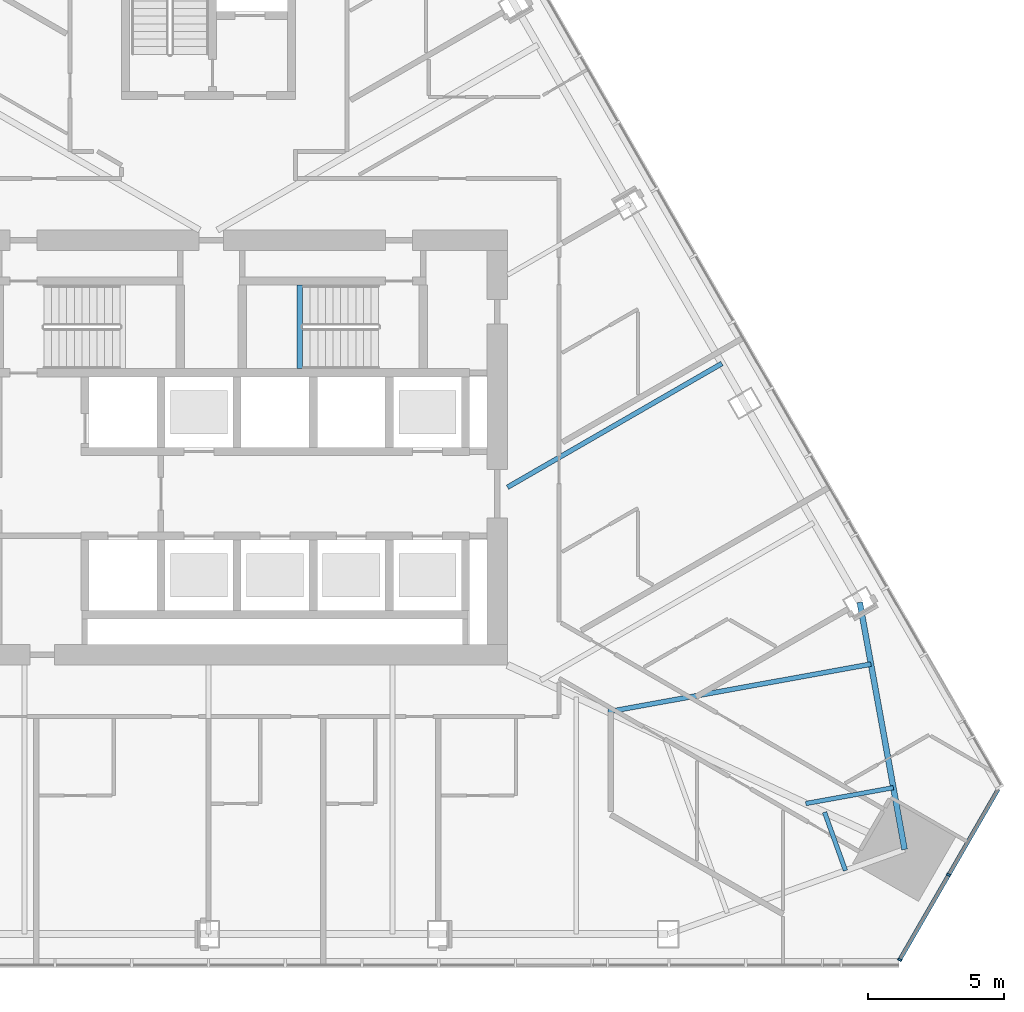
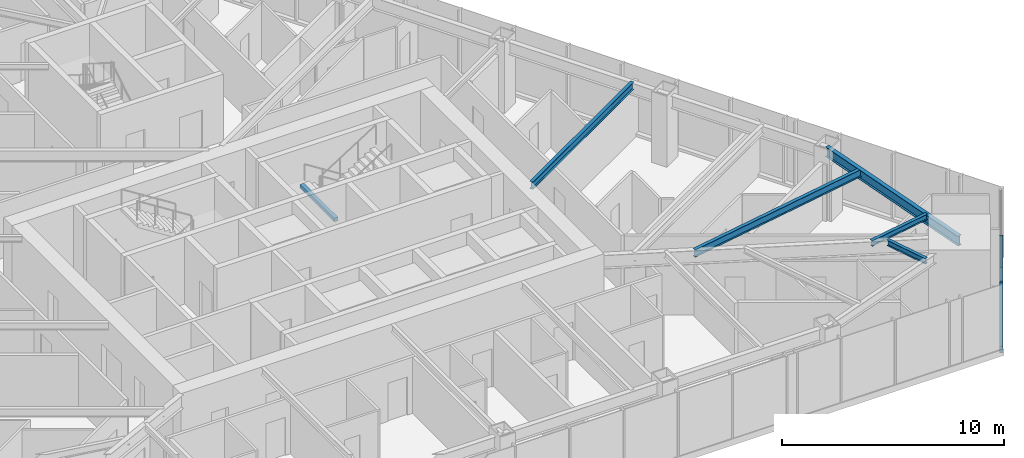
# One storey, part 7 of 20: 6 beams, 4 members, 1 element without a shape of its own.
"""IFC4 building model written with IfcOpenShell, lengths in metres."""

from ifc_helpers import new_model, si_unit, direction, frame, origin, origin_2d, place, context, subcontext, project, spatial, rectangle, i_section, extrude, material, layer, layer_set, material_profile, profile_set, type_object, element, aggregate, save


model = new_model("IFC4")

# Units and contexts
model_context = context("Model", 3, precision=1e-05, world=origin(), true_north=direction((0.0, 1.0)))
body_context = subcontext(model_context, "Body", "Model", "MODEL_VIEW")
ifc_project = project(units=[si_unit("LENGTHUNIT", "METRE"), si_unit("AREAUNIT", "SQUARE_METRE"), si_unit("VOLUMEUNIT", "CUBIC_METRE"), si_unit("PLANEANGLEUNIT", "RADIAN"), si_unit("MASSUNIT", "GRAM", prefix="KILO")], contexts=[model_context])

# Site, building, storey
site_placement = place(None, origin())
site = spatial("IfcSite", under=ifc_project, at=site_placement, CompositionType="ELEMENT")
building_placement = place(site_placement, origin())
building = spatial("IfcBuilding", under=site, at=building_placement, Name="Firuza Gate Tower and Library", CompositionType="ELEMENT")
storey_placement = place(building_placement, frame((0.0, 0.0, 214.300048828125)))
storey = spatial("IfcBuildingStorey", under=building, at=storey_placement, Name="L50", CompositionType="ELEMENT", Elevation=214.300048828125)

# Curtain wall, members
ifc_material_1 = material(Name="Aluminium 6063-T6", Category="aluminium")
ifc_layer = layer(ifc_material_1, 0.14990234375)
ifc_layer_set = layer_set([ifc_layer], Name="Corner curtain wall, chamfers")
curtain_wall_type = type_object("IfcCurtainWallType", Name="Corner curtain wall, chamfers", PredefinedType="NOTDEFINED", material=ifc_layer_set)
curtain_wall_placement = place(storey_placement, origin())
curtain_wall = element("IfcCurtainWall", 1, at=curtain_wall_placement, inside=storey, type_object=curtain_wall_type, Name="CW4 L50 SE corner", PredefinedType="NOTDEFINED")
ifc_material_2 = material(Name="Aluminium 6063-T6", Category="aluminium")
ifc_material_profile_1 = material_profile(ifc_material_2, rectangle(XDim=0.14990234375, YDim=0.080078125, at=origin_2d()))
ifc_profile_set_1 = profile_set([ifc_material_profile_1], Name="Aluminium 6063-T6")
member_type_1 = type_object("IfcMemberType", Name="Curtain wall mullion 80x150", PredefinedType="MULLION", material=ifc_profile_set_1)
member_1_placement = place(storey_placement, frame((100.43017578125, 56.156982421875, 0.14990234375), z_axis=(0.0, 0.0, 1.0), x_axis=(-0.866025403784, 0.5, 0.0)))
member_1 = element("IfcMember", 2, at=member_1_placement, type_object=member_type_1, Name="Mullion", PredefinedType="MULLION", context=body_context, shape_type="SweptSolid", body=[
    extrude(rectangle(XDim=0.14990234375, YDim=0.080078125, at=origin_2d()), origin(), (0.0, 0.0, 1.0), 3.550048828125),
])
member_2_placement = place(storey_placement, frame((102.23193359375, 59.277587890625, 0.14990234375), z_axis=(0.0, 0.0, 1.0), x_axis=(-0.866025403784, 0.5, 0.0)))
member_2 = element("IfcMember", 3, at=member_2_placement, type_object=member_type_1, Name="Mullion", PredefinedType="MULLION", context=body_context, shape_type="SweptSolid", body=[
    extrude(rectangle(XDim=0.14990234375, YDim=0.080078125, at=origin_2d()), origin(), (0.0, 0.0, 1.0), 3.550048828125),
])
ifc_material_3 = material(Name="Aluminium 6063-T6", Category="aluminium")
ifc_material_profile_2 = material_profile(ifc_material_3, rectangle(XDim=0.14990234375, YDim=0.35009765625, at=origin_2d()))
ifc_profile_set_2 = profile_set([ifc_material_profile_2], Name="Aluminium 6063-T6")
member_type_2 = type_object("IfcMemberType", Name="Curtain wall transom 350x150", PredefinedType="USERDEFINED", material=ifc_profile_set_2)
member_3_placement = place(storey_placement, frame((100.410400390625, 56.12255859375, -0.025146484375), z_axis=(0.500005719219, 0.866022101766, 0.0), x_axis=(-0.866022101766, 0.500005719219, 0.0)))
member_3 = element("IfcMember", 4, at=member_3_placement, type_object=member_type_2, Name="Transom", ObjectType="TRANSOM", PredefinedType="USERDEFINED", context=body_context, shape_type="SweptSolid", body=[
    extrude(rectangle(XDim=0.14990234375, YDim=0.35009765625, at=origin_2d()), origin(), (0.0, 0.0, 1.0), 7.28662109375),
])
ifc_material_4 = material(Name="Aluminium 6063-T6", Category="aluminium")
ifc_material_profile_3 = material_profile(ifc_material_4, rectangle(XDim=0.14990234375, YDim=0.080078125, at=origin_2d()))
ifc_profile_set_3 = profile_set([ifc_material_profile_3], Name="Aluminium 6063-T6")
member_type_3 = type_object("IfcMemberType", Name="Curtain wall transom 80x150", PredefinedType="USERDEFINED", material=ifc_profile_set_3)
member_4_placement = place(storey_placement, frame((100.43017578125, 56.156982421875, 1.925048828125), z_axis=(0.500015035186, 0.866016723041, 0.0), x_axis=(-0.866016723041, 0.500015035186, 0.0)))
member_4 = element("IfcMember", 5, at=member_4_placement, type_object=member_type_3, Name="Transom", ObjectType="TRANSOM", PredefinedType="USERDEFINED", context=body_context, shape_type="SweptSolid", body=[
    extrude(rectangle(XDim=0.14990234375, YDim=0.080078125, at=origin_2d()), origin(), (0.0, 0.0, 1.0), 3.5634765625),
])
aggregate(curtain_wall, [member_1, member_2, member_3, member_4])

# Beams
ifc_material_5 = material(Name="Concrete C35/45", Category="concrete")
ifc_material_profile_4 = material_profile(ifc_material_5, rectangle(XDim=0.199951171875, YDim=0.199951171875, at=origin_2d()))
ifc_profile_set_4 = profile_set([ifc_material_profile_4], Name="Concrete C35/45")
beam_type_1 = type_object("IfcBeamType", Name="Stair landing bearer 200x200", PredefinedType="BEAM", material=ifc_profile_set_4)
beam_1_placement = place(storey_placement, frame((78.360107421875, 80.97998046875, 1.64990234375), z_axis=(0.0, -1.0, 0.0), x_axis=(1.0, 0.0, 0.0)))
element("IfcBeam", 6, at=beam_1_placement, inside=storey, type_object=beam_type_1, Name="Landing bearer L50 stair 2", PredefinedType="BEAM", context=body_context, shape_type="SweptSolid", body=[
    extrude(rectangle(XDim=0.199951171875, YDim=0.199951171875, at=origin_2d()), origin(), (0.0, 0.0, 1.0), 3.080078125),
])
ifc_material_6 = material(Name="Steel S355", Category="steel")
ifc_material_profile_5 = material_profile(ifc_material_6, i_section(OverallWidth=0.1650390625, OverallDepth=0.31005859375, WebThickness=0.005859375, FlangeThickness=0.009765625, at=origin_2d()))
ifc_profile_set_5 = profile_set([ifc_material_profile_5], Name="Steel S355")
beam_type_2 = type_object("IfcBeamType", Name="W310x39 Floor beam", PredefinedType="JOIST", material=ifc_profile_set_5)
beam_2_placement = place(storey_placement, frame((98.433837890625, 59.435791015625, 3.544921875), z_axis=(-0.337475616442, 0.941334270229, 0.0), x_axis=(-0.941334270229, -0.337475616442, 0.0)))
element("IfcBeam", 7, at=beam_2_placement, inside=storey, type_object=beam_type_2, Name="Floor beam L50 s31", PredefinedType="JOIST", context=body_context, shape_type="SweptSolid", body=[
    extrude(i_section(OverallWidth=0.1650390625, OverallDepth=0.31005859375, WebThickness=0.005859375, FlangeThickness=0.009765625, at=origin_2d()), origin(), (0.0, 0.0, 1.0), 2.2802734375),
])
beam_3_placement = place(storey_placement, frame((100.196044921875, 62.48779296875, 3.544921875), z_axis=(-0.983948530729, -0.178452483528, 0.0), x_axis=(0.178452483528, -0.983948530729, 0.0)))
element("IfcBeam", 8, at=beam_3_placement, inside=storey, type_object=beam_type_2, Name="Floor beam L50 s40", PredefinedType="JOIST", context=body_context, shape_type="SweptSolid", body=[
    extrude(i_section(OverallWidth=0.1650390625, OverallDepth=0.31005859375, WebThickness=0.005859375, FlangeThickness=0.009765625, at=origin_2d()), origin(), (0.0, 0.0, 1.0), 3.275146484375),
])
ifc_material_7 = material(Name="Steel S355", Category="steel")
ifc_material_profile_6 = material_profile(ifc_material_7, i_section(OverallWidth=0.177978515625, OverallDepth=0.406982421875, WebThickness=0.0078125, FlangeThickness=0.0126953125, at=origin_2d()))
ifc_profile_set_6 = profile_set([ifc_material_profile_6], Name="Steel S355")
beam_type_3 = type_object("IfcBeamType", Name="W410x60 Floor beam", PredefinedType="JOIST", material=ifc_profile_set_6)
beam_4_placement = place(storey_placement, frame((99.371826171875, 67.032958984375, 3.496337890625), z_axis=(-0.98395368435, -0.178424065234, 0.0), x_axis=(0.178424065234, -0.98395368435, 0.0)))
element("IfcBeam", 9, at=beam_4_placement, inside=storey, type_object=beam_type_3, Name="Floor beam L50 s41", PredefinedType="JOIST", context=body_context, shape_type="SweptSolid", body=[
    extrude(i_section(OverallWidth=0.177978515625, OverallDepth=0.406982421875, WebThickness=0.0078125, FlangeThickness=0.0126953125, at=origin_2d()), origin(), (0.0, 0.0, 1.0), 9.825927734375),
])
beam_5_placement = place(storey_placement, frame((93.88623046875, 78.093017578125, 3.496337890625), z_axis=(-0.86602039319, -0.500008678503, 0.0), x_axis=(0.500008678503, -0.86602039319, 0.0)))
element("IfcBeam", 10, at=beam_5_placement, inside=storey, type_object=beam_type_3, Name="Floor beam L50 s51", PredefinedType="JOIST", context=body_context, shape_type="SweptSolid", body=[
    extrude(i_section(OverallWidth=0.177978515625, OverallDepth=0.406982421875, WebThickness=0.0078125, FlangeThickness=0.0126953125, at=origin_2d()), origin(), (0.0, 0.0, 1.0), 9.106201171875),
])
ifc_material_8 = material(Name="Steel S355", Category="steel")
ifc_material_profile_7 = material_profile(ifc_material_8, i_section(OverallWidth=0.212890625, OverallDepth=0.5390625, WebThickness=0.01171875, FlangeThickness=0.018798828125, at=origin_2d()))
ifc_profile_set_7 = profile_set([ifc_material_profile_7], Name="Steel S355")
beam_type_4 = type_object("IfcBeamType", Name="W530x109 Edge beam", PredefinedType="SPANDREL", material=ifc_profile_set_7)
beam_6_placement = place(storey_placement, frame((100.608154296875, 60.215087890625, 3.430419921875), z_axis=(-0.178424980687, 0.983953518347, 0.0), x_axis=(-0.983953518347, -0.178424980687, 0.0)))
element("IfcBeam", 11, at=beam_6_placement, inside=storey, type_object=beam_type_4, Name="Edge beam L50 e40", PredefinedType="SPANDREL", context=body_context, shape_type="SweptSolid", body=[
    extrude(i_section(OverallWidth=0.212890625, OverallDepth=0.5390625, WebThickness=0.01171875, FlangeThickness=0.018798828125, at=origin_2d()), origin(), (0.0, 0.0, 1.0), 9.23876953125),
])

save(model, "model.ifc")
